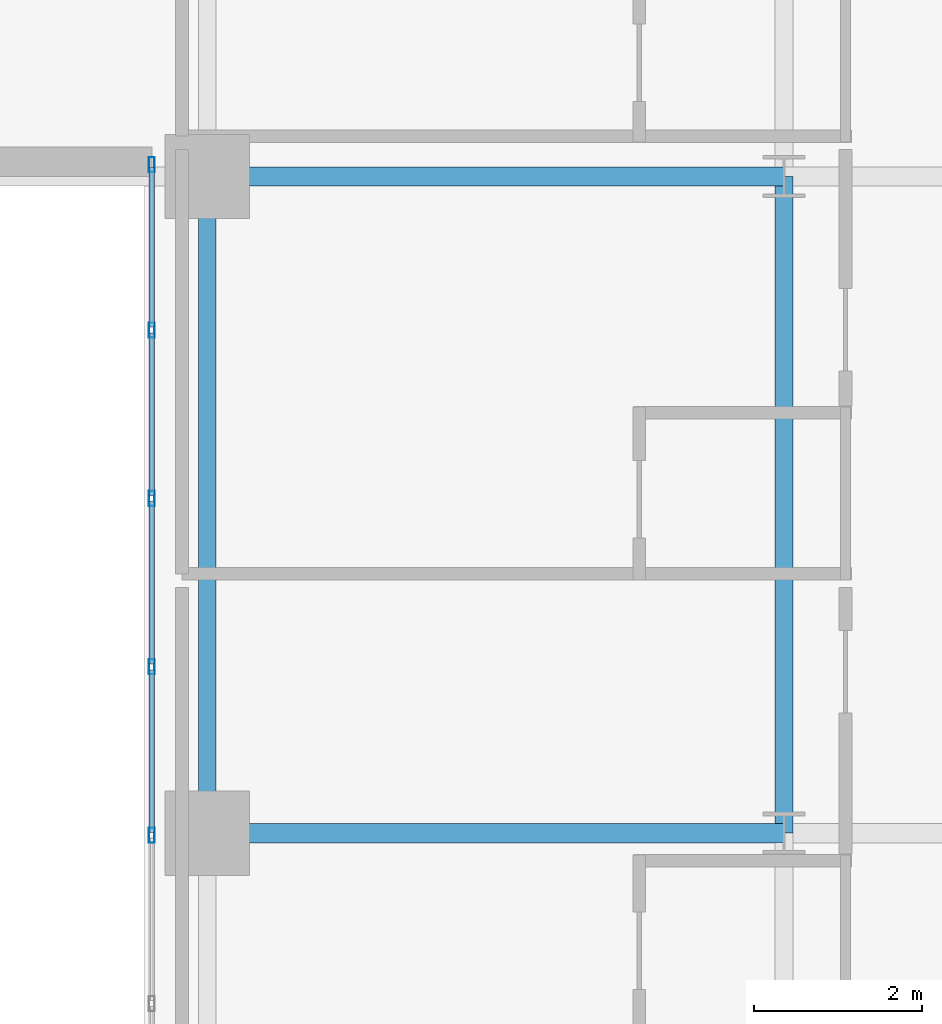
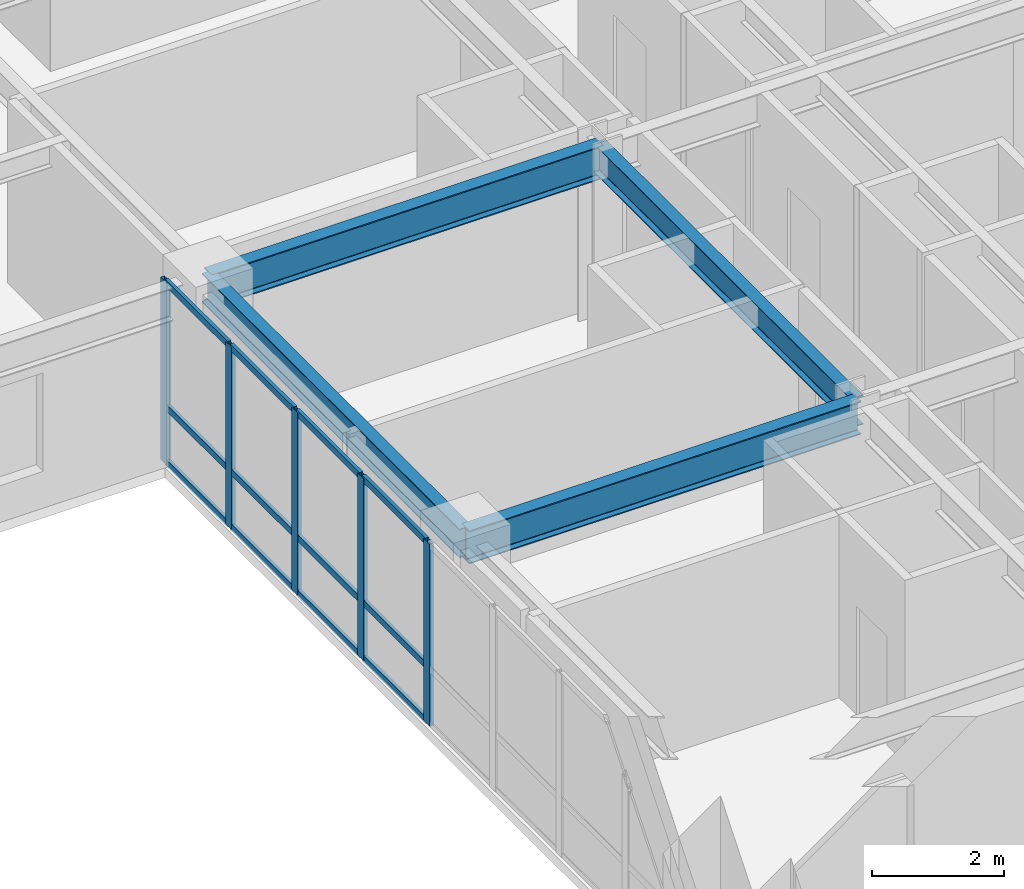
# One storey, part 15 of 30: 17 members, 4 beams, 1 element without a shape of its own.
"""IFC4 building model written with IfcOpenShell, lengths in metres."""

from ifc_helpers import new_model, si_unit, direction, frame, origin, origin_2d, place, context, subcontext, project, spatial, hollow_rectangle, i_section, extrude, source, transform, mapped, material, layer, layer_set, material_profile, profile_set, type_object, type_shapes, element, aggregate, save


model = new_model("IFC4")

# Units and contexts
model_context = context("Model", 3, precision=1e-05, world=origin(), true_north=direction((0.0, 1.0)))
body_context = subcontext(model_context, "Body", "Model", "MODEL_VIEW")
ifc_project = project(units=[si_unit("LENGTHUNIT", "METRE"), si_unit("AREAUNIT", "SQUARE_METRE"), si_unit("VOLUMEUNIT", "CUBIC_METRE"), si_unit("PLANEANGLEUNIT", "RADIAN"), si_unit("MASSUNIT", "GRAM", prefix="KILO")], contexts=[model_context])

# Site, building, storey
site_placement = place(None, origin())
site = spatial("IfcSite", under=ifc_project, at=site_placement, CompositionType="ELEMENT")
building_placement = place(site_placement, origin())
building = spatial("IfcBuilding", under=site, at=building_placement, Name="Tolvann Quenvar Hotel", CompositionType="ELEMENT")
storey_placement = place(building_placement, frame((0.0, 0.0, 56.85009765625)))
storey = spatial("IfcBuildingStorey", under=building, at=storey_placement, Name="L13", CompositionType="ELEMENT", Elevation=56.85009765625)

# Beams
ifc_material_1 = material(Name="Steel Grade 350", Category="steel")
ifc_material_profile_1 = material_profile(ifc_material_1, i_section(OverallWidth=0.22900390625, OverallDepth=0.612060546875, WebThickness=0.011962890625, FlangeThickness=0.01953125, FilletRadius=0.013916015625, at=origin_2d()), Name="610UB125")
ifc_profile_set_1 = profile_set([ifc_material_profile_1], Name="Steel Grade 350")
beam_type_1 = type_object("IfcBeamType", Name="BM_GIRD_610UB125", PredefinedType="BEAM", material=ifc_profile_set_1)
shared_shape_1 = source(origin(), body_context, "Body", "SweptSolid", [
    extrude(i_section(OverallWidth=0.22900390625, OverallDepth=0.612060546875, WebThickness=0.011962890625, FlangeThickness=0.01953125, FilletRadius=0.013916015625, at=origin_2d()), origin(), (0.0, 0.0, 1.0), 6.85009765625),
])
type_shapes(beam_type_1, [shared_shape_1])
for number, where, z_axis, x_axis, name in (
    (1, (34.949951171875, 8.199951171875, 3.06396484375), (1.0, 0.0, 0.0), (0.0, 1.0, 0.0), "BM-L13-EW-3-F3-H3"),
    (2, (34.949951171875, 16.0, 3.06396484375), (1.0, 0.0, 0.0), (0.0, 1.0, 0.0), "BM-L13-EW-4-F4-H4"),
):
    element("IfcBeam", number, at=place(storey_placement, frame(where, z_axis=z_axis, x_axis=x_axis)), inside=storey, type_object=beam_type_1, Name=name, PredefinedType="BEAM", context=body_context, shape_type="MappedRepresentation", body=[
        mapped(shared_shape_1, transform((0.0, 0.0, 0.0), x_axis=(1.0, 0.0, 0.0), y_axis=(0.0, 1.0, 0.0), z_axis=(0.0, 0.0, 1.0), scale=1.0)),
    ])
ifc_material_profile_2 = material_profile(ifc_material_1, i_section(OverallWidth=0.208984375, OverallDepth=0.532958984375, WebThickness=0.01025390625, FlangeThickness=0.015625, FilletRadius=0.013916015625, at=origin_2d()), Name="530UB92")
ifc_profile_set_2 = profile_set([ifc_material_profile_2], Name="Steel Grade 350")
beam_type_2 = type_object("IfcBeamType", Name="BM_GIRD_530UB92", PredefinedType="BEAM", material=ifc_profile_set_2)
shared_shape_2 = source(origin(), body_context, "Body", "SweptSolid", [
    extrude(i_section(OverallWidth=0.208984375, OverallDepth=0.532958984375, WebThickness=0.01025390625, FlangeThickness=0.015625, FilletRadius=0.013916015625, at=origin_2d()), origin(), (0.0, 0.0, 1.0), 7.800048828125),
])
type_shapes(beam_type_2, [shared_shape_2])
for number, where, z_axis, x_axis, name in (
    (3, (34.949951171875, 8.199951171875, 3.103515625), (0.0, 1.0, 0.0), (-1.0, 0.0, 0.0), "BM-L13-NS-F3-F4"),
    (4, (41.800048828125, 8.199951171875, 3.103515625), (0.0, 1.0, 0.0), (-1.0, 0.0, 0.0), "BM-L13-NS-H3-H4"),
):
    element("IfcBeam", number, at=place(storey_placement, frame(where, z_axis=z_axis, x_axis=x_axis)), inside=storey, type_object=beam_type_2, Name=name, PredefinedType="BEAM", context=body_context, shape_type="MappedRepresentation", body=[
        mapped(shared_shape_2, transform((0.0, 0.0, 0.0), x_axis=(1.0, 0.0, 0.0), y_axis=(0.0, 1.0, 0.0), z_axis=(0.0, 0.0, 1.0), scale=1.0)),
    ])

# Curtain wall, members
ifc_material_2 = material(Name="Thermally broken anodised architectural aluminium 6063-T6 and laminated low-E glass", Category="aluminium")
ifc_layer = layer(ifc_material_2, 0.179931640625)
ifc_layer_set = layer_set([ifc_layer], Name="Thermally broken anodised architectural aluminium 6063-T6 and laminated low-E glass")
curtain_wall_type = type_object("IfcCurtainWallType", Name="CW_SYS_SLOT_03", PredefinedType="USERDEFINED", material=ifc_layer_set)
curtain_wall_placement = place(storey_placement, origin())
curtain_wall = element("IfcCurtainWall", 5, at=curtain_wall_placement, inside=storey, type_object=curtain_wall_type, Name="Curtain Wall CW-SLOT-03 (CWR-L13-E07)", ObjectType="UNITISED CURTAIN WALL", PredefinedType="USERDEFINED")
ifc_material_3 = material(Name="Anodised architectural aluminium 6063-T6 framing", Category="aluminium")
ifc_material_profile_3 = material_profile(ifc_material_3, hollow_rectangle(XDim=0.06005859375, YDim=0.1201171875, WallThickness=0.00341796875, at=origin_2d()), Name="120x60x3.5RHS")
ifc_profile_set_3 = profile_set([ifc_material_profile_3], Name="Anodised architectural aluminium 6063-T6 framing")
member_type_1 = type_object("IfcMemberType", Name="CW_TRAN_120x60", PredefinedType="USERDEFINED", material=ifc_profile_set_3)
shared_shape_3 = source(origin(), body_context, "Body", "SweptSolid", [
    extrude(hollow_rectangle(XDim=0.06005859375, YDim=0.1201171875, WallThickness=0.00341796875, at=origin_2d()), origin(), (0.0, 0.0, 1.0), 1.929931640625),
])
member_1_placement = place(storey_placement, frame((34.2900390625, 14.139892578125, 0.02978515625), z_axis=(0.0, -1.0, 0.0), x_axis=(1.0, 0.0, 0.0)))
member_1 = element("IfcMember", 6, at=member_1_placement, type_object=member_type_1, Name="CW-SLOT-03 transom 2.1", ObjectType="TRANSOM", PredefinedType="USERDEFINED", context=body_context, shape_type="MappedRepresentation", body=[
    mapped(shared_shape_3, transform((0.0, 0.0, 0.0), x_axis=(1.0, 0.0, 0.0), y_axis=(0.0, 1.0, 0.0), z_axis=(0.0, 0.0, 1.0), scale=1.0)),
])
member_2_placement = place(storey_placement, frame((34.2900390625, 14.139892578125, 1.0498046875), z_axis=(0.0, -1.0, 0.0), x_axis=(1.0, 0.0, 0.0)))
member_2 = element("IfcMember", 7, at=member_2_placement, type_object=member_type_1, Name="CW-SLOT-03 transom 2.2", ObjectType="TRANSOM", PredefinedType="USERDEFINED", context=body_context, shape_type="MappedRepresentation", body=[
    mapped(shared_shape_3, transform((0.0, 0.0, 0.0), x_axis=(1.0, 0.0, 0.0), y_axis=(0.0, 1.0, 0.0), z_axis=(0.0, 0.0, 1.0), scale=1.0)),
])
member_3_placement = place(storey_placement, frame((34.2900390625, 14.139892578125, 3.33984375), z_axis=(0.0, -1.0, 0.0), x_axis=(1.0, 0.0, 0.0)))
member_3 = element("IfcMember", 8, at=member_3_placement, type_object=member_type_1, Name="CW-SLOT-03 transom 2.3", ObjectType="TRANSOM", PredefinedType="USERDEFINED", context=body_context, shape_type="MappedRepresentation", body=[
    mapped(shared_shape_3, transform((0.0, 0.0, 0.0), x_axis=(1.0, 0.0, 0.0), y_axis=(0.0, 1.0, 0.0), z_axis=(0.0, 0.0, 1.0), scale=1.0)),
])
member_4_placement = place(storey_placement, frame((34.2900390625, 12.139892578125, 0.02978515625), z_axis=(0.0, -1.0, 0.0), x_axis=(1.0, 0.0, 0.0)))
member_4 = element("IfcMember", 9, at=member_4_placement, type_object=member_type_1, Name="CW-SLOT-03 transom 3.1", ObjectType="TRANSOM", PredefinedType="USERDEFINED", context=body_context, shape_type="MappedRepresentation", body=[
    mapped(shared_shape_3, transform((0.0, 0.0, 0.0), x_axis=(1.0, 0.0, 0.0), y_axis=(0.0, 1.0, 0.0), z_axis=(0.0, 0.0, 1.0), scale=1.0)),
])
member_5_placement = place(storey_placement, frame((34.2900390625, 12.139892578125, 1.0498046875), z_axis=(0.0, -1.0, 0.0), x_axis=(1.0, 0.0, 0.0)))
member_5 = element("IfcMember", 10, at=member_5_placement, type_object=member_type_1, Name="CW-SLOT-03 transom 3.2", ObjectType="TRANSOM", PredefinedType="USERDEFINED", context=body_context, shape_type="MappedRepresentation", body=[
    mapped(shared_shape_3, transform((0.0, 0.0, 0.0), x_axis=(1.0, 0.0, 0.0), y_axis=(0.0, 1.0, 0.0), z_axis=(0.0, 0.0, 1.0), scale=1.0)),
])
member_6_placement = place(storey_placement, frame((34.2900390625, 12.139892578125, 3.33984375), z_axis=(0.0, -1.0, 0.0), x_axis=(1.0, 0.0, 0.0)))
member_6 = element("IfcMember", 11, at=member_6_placement, type_object=member_type_1, Name="CW-SLOT-03 transom 3.3", ObjectType="TRANSOM", PredefinedType="USERDEFINED", context=body_context, shape_type="MappedRepresentation", body=[
    mapped(shared_shape_3, transform((0.0, 0.0, 0.0), x_axis=(1.0, 0.0, 0.0), y_axis=(0.0, 1.0, 0.0), z_axis=(0.0, 0.0, 1.0), scale=1.0)),
])
member_7_placement = place(storey_placement, frame((34.2900390625, 10.139892578125, 0.02978515625), z_axis=(0.0, -1.0, 0.0), x_axis=(1.0, 0.0, 0.0)))
member_7 = element("IfcMember", 12, at=member_7_placement, type_object=member_type_1, Name="CW-SLOT-03 transom 4.1", ObjectType="TRANSOM", PredefinedType="USERDEFINED", context=body_context, shape_type="MappedRepresentation", body=[
    mapped(shared_shape_3, transform((0.0, 0.0, 0.0), x_axis=(1.0, 0.0, 0.0), y_axis=(0.0, 1.0, 0.0), z_axis=(0.0, 0.0, 1.0), scale=1.0)),
])
member_8_placement = place(storey_placement, frame((34.2900390625, 10.139892578125, 1.0498046875), z_axis=(0.0, -1.0, 0.0), x_axis=(1.0, 0.0, 0.0)))
member_8 = element("IfcMember", 13, at=member_8_placement, type_object=member_type_1, Name="CW-SLOT-03 transom 4.2", ObjectType="TRANSOM", PredefinedType="USERDEFINED", context=body_context, shape_type="MappedRepresentation", body=[
    mapped(shared_shape_3, transform((0.0, 0.0, 0.0), x_axis=(1.0, 0.0, 0.0), y_axis=(0.0, 1.0, 0.0), z_axis=(0.0, 0.0, 1.0), scale=1.0)),
])
member_9_placement = place(storey_placement, frame((34.2900390625, 10.139892578125, 3.33984375), z_axis=(0.0, -1.0, 0.0), x_axis=(1.0, 0.0, 0.0)))
member_9 = element("IfcMember", 14, at=member_9_placement, type_object=member_type_1, Name="CW-SLOT-03 transom 4.3", ObjectType="TRANSOM", PredefinedType="USERDEFINED", context=body_context, shape_type="MappedRepresentation", body=[
    mapped(shared_shape_3, transform((0.0, 0.0, 0.0), x_axis=(1.0, 0.0, 0.0), y_axis=(0.0, 1.0, 0.0), z_axis=(0.0, 0.0, 1.0), scale=1.0)),
])
shared_shape_4 = source(origin(), body_context, "Body", "SweptSolid", [
    extrude(hollow_rectangle(XDim=0.06005859375, YDim=0.1201171875, WallThickness=0.00341796875, at=origin_2d()), origin(), (0.0, 0.0, 1.0), 1.89501953125),
])
type_shapes(member_type_1, [shared_shape_3, shared_shape_4])
member_10_placement = place(storey_placement, frame((34.2900390625, 16.10498046875, 0.02978515625), z_axis=(0.0, -1.0, 0.0), x_axis=(1.0, 0.0, 0.0)))
member_10 = element("IfcMember", 15, at=member_10_placement, type_object=member_type_1, Name="CW-SLOT-03 transom 1.1", ObjectType="TRANSOM", PredefinedType="USERDEFINED", context=body_context, shape_type="MappedRepresentation", body=[
    mapped(shared_shape_4, transform((0.0, 0.0, 0.0), x_axis=(1.0, 0.0, 0.0), y_axis=(0.0, 1.0, 0.0), z_axis=(0.0, 0.0, 1.0), scale=1.0)),
])
member_11_placement = place(storey_placement, frame((34.2900390625, 16.10498046875, 1.0498046875), z_axis=(0.0, -1.0, 0.0), x_axis=(1.0, 0.0, 0.0)))
member_11 = element("IfcMember", 16, at=member_11_placement, type_object=member_type_1, Name="CW-SLOT-03 transom 1.2", ObjectType="TRANSOM", PredefinedType="USERDEFINED", context=body_context, shape_type="MappedRepresentation", body=[
    mapped(shared_shape_4, transform((0.0, 0.0, 0.0), x_axis=(1.0, 0.0, 0.0), y_axis=(0.0, 1.0, 0.0), z_axis=(0.0, 0.0, 1.0), scale=1.0)),
])
member_12_placement = place(storey_placement, frame((34.2900390625, 16.10498046875, 3.33984375), z_axis=(0.0, -1.0, 0.0), x_axis=(1.0, 0.0, 0.0)))
member_12 = element("IfcMember", 17, at=member_12_placement, type_object=member_type_1, Name="CW-SLOT-03 transom 1.3", ObjectType="TRANSOM", PredefinedType="USERDEFINED", context=body_context, shape_type="MappedRepresentation", body=[
    mapped(shared_shape_4, transform((0.0, 0.0, 0.0), x_axis=(1.0, 0.0, 0.0), y_axis=(0.0, 1.0, 0.0), z_axis=(0.0, 0.0, 1.0), scale=1.0)),
])
ifc_material_profile_4 = material_profile(ifc_material_3, hollow_rectangle(XDim=0.070068359375, YDim=0.179931640625, WallThickness=0.00390625, at=origin_2d()), Name="180x70x4RHS")
ifc_profile_set_4 = profile_set([ifc_material_profile_4], Name="Anodised architectural aluminium 6063-T6 framing")
member_type_2 = type_object("IfcMemberType", Name="CW_MULL_180x70", PredefinedType="MULLION", material=ifc_profile_set_4)
shared_shape_5 = source(origin(), body_context, "Body", "SweptSolid", [
    extrude(hollow_rectangle(XDim=0.070068359375, YDim=0.179931640625, WallThickness=0.00390625, at=origin_2d()), origin(), (0.0, 0.0, 1.0), 3.369873046875),
])
type_shapes(member_type_2, [shared_shape_5])
member_13_placement = place(storey_placement, frame((34.2900390625, 16.139892578125, 0.0), z_axis=(0.0, 0.0, 1.0), x_axis=(1.0, 0.0, 0.0)))
member_13 = element("IfcMember", 18, at=member_13_placement, type_object=member_type_2, Name="CW-SLOT-03 mullion 1", PredefinedType="MULLION", context=body_context, shape_type="MappedRepresentation", body=[
    mapped(shared_shape_5, transform((0.0, 0.0, 0.0), x_axis=(1.0, 0.0, 0.0), y_axis=(0.0, 1.0, 0.0), z_axis=(0.0, 0.0, 1.0), scale=1.0)),
])
member_14_placement = place(storey_placement, frame((34.2900390625, 14.175048828125, 0.0), z_axis=(0.0, 0.0, 1.0), x_axis=(1.0, 0.0, 0.0)))
member_14 = element("IfcMember", 19, at=member_14_placement, type_object=member_type_2, Name="CW-SLOT-03 mullion 2", PredefinedType="MULLION", context=body_context, shape_type="MappedRepresentation", body=[
    mapped(shared_shape_5, transform((0.0, 0.0, 0.0), x_axis=(1.0, 0.0, 0.0), y_axis=(0.0, 1.0, 0.0), z_axis=(0.0, 0.0, 1.0), scale=1.0)),
])
member_15_placement = place(storey_placement, frame((34.2900390625, 12.175048828125, 0.0), z_axis=(0.0, 0.0, 1.0), x_axis=(1.0, 0.0, 0.0)))
member_15 = element("IfcMember", 20, at=member_15_placement, type_object=member_type_2, Name="CW-SLOT-03 mullion 3", PredefinedType="MULLION", context=body_context, shape_type="MappedRepresentation", body=[
    mapped(shared_shape_5, transform((0.0, 0.0, 0.0), x_axis=(1.0, 0.0, 0.0), y_axis=(0.0, 1.0, 0.0), z_axis=(0.0, 0.0, 1.0), scale=1.0)),
])
member_16_placement = place(storey_placement, frame((34.2900390625, 10.175048828125, 0.0), z_axis=(0.0, 0.0, 1.0), x_axis=(1.0, 0.0, 0.0)))
member_16 = element("IfcMember", 21, at=member_16_placement, type_object=member_type_2, Name="CW-SLOT-03 mullion 4", PredefinedType="MULLION", context=body_context, shape_type="MappedRepresentation", body=[
    mapped(shared_shape_5, transform((0.0, 0.0, 0.0), x_axis=(1.0, 0.0, 0.0), y_axis=(0.0, 1.0, 0.0), z_axis=(0.0, 0.0, 1.0), scale=1.0)),
])
member_17_placement = place(storey_placement, frame((34.2900390625, 8.175048828125, 0.0), z_axis=(0.0, 0.0, 1.0), x_axis=(1.0, 0.0, 0.0)))
member_17 = element("IfcMember", 22, at=member_17_placement, type_object=member_type_2, Name="CW-SLOT-03 mullion 5", PredefinedType="MULLION", context=body_context, shape_type="MappedRepresentation", body=[
    mapped(shared_shape_5, transform((0.0, 0.0, 0.0), x_axis=(1.0, 0.0, 0.0), y_axis=(0.0, 1.0, 0.0), z_axis=(0.0, 0.0, 1.0), scale=1.0)),
])
aggregate(curtain_wall, [member_13, member_14, member_15, member_16, member_17, member_10, member_11, member_12, member_1, member_2, member_3, member_4, member_5, member_6, member_7, member_8, member_9])

save(model, "model.ifc")
